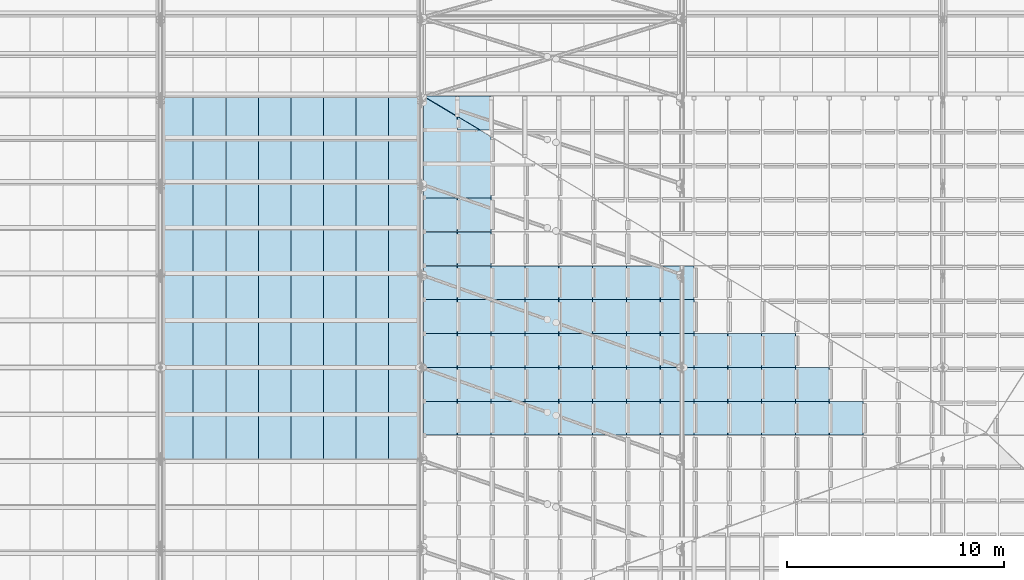
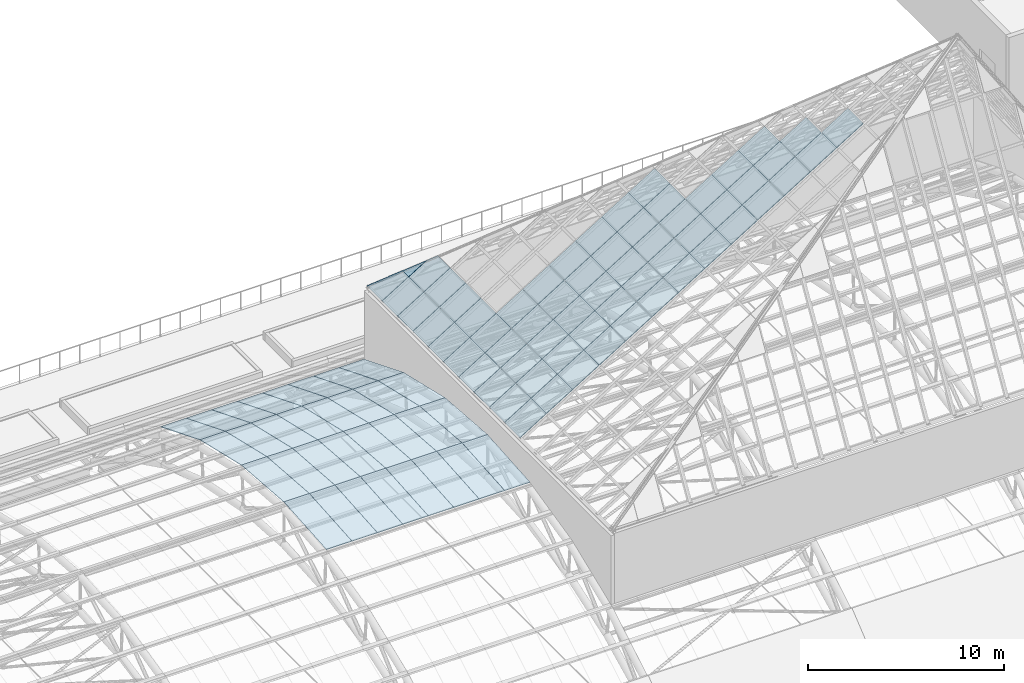
# One storey, part 57 of 110: 96 plates.
"""IFC4 building model written with IfcOpenShell, lengths in metres."""

from ifc_helpers import new_model, si_unit, direction, frame, origin, place, context, subcontext, project, spatial, polyline, outline, extrude, material, layer, layer_set, type_object, element, save


model = new_model("IFC4")

# Units and contexts
model_context = context("Model", 3, precision=1e-05, world=origin(), true_north=direction((0.0, 1.0)))
body_context = subcontext(model_context, "Body", "Model", "MODEL_VIEW")
ifc_project = project(units=[si_unit("LENGTHUNIT", "METRE"), si_unit("AREAUNIT", "SQUARE_METRE"), si_unit("VOLUMEUNIT", "CUBIC_METRE"), si_unit("PLANEANGLEUNIT", "RADIAN"), si_unit("MASSUNIT", "GRAM", prefix="KILO")], contexts=[model_context])

# Site, building, storey
site_placement = place(None, origin())
site = spatial("IfcSite", under=ifc_project, at=site_placement, CompositionType="ELEMENT")
building_placement = place(site_placement, origin())
building = spatial("IfcBuilding", under=site, at=building_placement, Name="Windward Yard Aquatics Centre", CompositionType="ELEMENT")
storey_placement = place(building_placement, frame((0.0, 0.0, 22.60009765625)))
storey = spatial("IfcBuildingStorey", under=building, at=storey_placement, Name="L05", CompositionType="ELEMENT", Elevation=22.60009765625)

# Plates
ifc_material_1 = material(Name="Laminated low-e glass", Category="glass")
ifc_layer_1 = layer(ifc_material_1, 0.035888671875)
ifc_layer_set_1 = layer_set([ifc_layer_1], Name="H lantern glass laminated low-e 36")
plate_type_1 = type_object("IfcPlateType", Name="H lantern glass laminated low-e 36", PredefinedType="SHEET", material=ifc_layer_set_1)
plate_1_placement = place(storey_placement, frame((96.114501953125, 73.485595703125, 10.8984375), z_axis=(0.0, 0.718369958288, 0.695661270324), x_axis=(1.0, 0.0, 0.0)))
element("IfcPlate", 1, at=plate_1_placement, inside=storey, type_object=plate_type_1, Name="H.LN.G.03.001", PredefinedType="SHEET", context=body_context, shape_type="SweptSolid", body=[
    extrude(outline(polyline([(0.0, 0.0), (1.538086, 0.0), (1.538086, -1.32237), (0.0, 0.0)])), origin(), (0.0, 0.0, -1.0), 0.035888671875),
])
plate_2_placement = place(storey_placement, frame((97.660400390625, 72.560791015625, 11.853515625), z_axis=(-2.8013885e-05, 0.718430796098, 0.695598440506), x_axis=(1.208e-09, 0.695598440779, -0.718430796379)))
element("IfcPlate", 2, at=plate_2_placement, inside=storey, type_object=plate_type_1, Name="H.LN.G.03.002", PredefinedType="SHEET", context=body_context, shape_type="SweptSolid", body=[
    extrude(outline(polyline([(0.0, 0.0), (1.32945, 0.0), (1.32945, -1.548584), (-0.90351, -1.548584), (-0.90351, -1.05127), (0.0, 0.0)])), origin(), (0.0, 0.0, -1.0), 0.035888671875),
])
for number, where, z_axis, x_axis, name in (
    (3, (96.10400390625, 57.881591796875, 10.896728515625), (-0.525518580898, 0.0, 0.850782123185), (0.0, 1.0, 0.0), "H.LN.G.04.060"),
    (4, (97.660400390625, 57.881591796875, 11.8583984375), (-0.525518580898, 0.0, 0.850782123185), (0.0, 1.0, 0.0), "H.LN.G.04.061"),
    (5, (99.217041015625, 57.881591796875, 12.81982421875), (-0.525518580898, 0.0, 0.850782123185), (0.0, 1.0, 0.0), "H.LN.G.04.062"),
):
    element("IfcPlate", number, at=place(storey_placement, frame(where, z_axis=z_axis, x_axis=x_axis)), inside=storey, type_object=plate_type_1, Name=name, PredefinedType="SHEET", context=body_context, shape_type="SweptSolid", body=[
        extrude(outline(polyline([(0.0, 0.0), (1.553223, 0.0), (1.553223, -1.820189), (0.0, -1.820189), (0.0, 0.0)])), origin(), (0.0, 0.0, -1.0), 0.035888671875),
    ])
plate_3_placement = place(storey_placement, frame((100.773681640625, 57.881591796875, 13.781494140625), z_axis=(-0.525578555888, 0.0, 0.850745074385), x_axis=(0.0, 1.0, 0.0)))
element("IfcPlate", 6, at=plate_3_placement, inside=storey, type_object=plate_type_1, Name="H.LN.G.04.063", PredefinedType="SHEET", context=body_context, shape_type="SweptSolid", body=[
    extrude(outline(polyline([(0.0, 0.0), (1.553223, 0.0), (1.553223, -1.819981), (0.0, -1.819981), (0.0, 0.0)])), origin(), (0.0, 0.0, -1.0), 0.035888671875),
])
plate_4_placement = place(storey_placement, frame((102.330078125, 57.881591796875, 14.742919921875), z_axis=(-0.525615657471, 0.0, 0.850722152422), x_axis=(0.0, 1.0, 0.0)))
element("IfcPlate", 7, at=plate_4_placement, inside=storey, type_object=plate_type_1, Name="H.LN.G.04.064", PredefinedType="SHEET", context=body_context, shape_type="SweptSolid", body=[
    extrude(outline(polyline([(0.0, 0.0), (1.553223, 0.0), (1.553223, -1.820317), (0.0, -1.820317), (0.0, 0.0)])), origin(), (0.0, 0.0, -1.0), 0.035888671875),
])
plate_5_placement = place(storey_placement, frame((103.88671875, 57.881591796875, 15.70458984375), z_axis=(-0.525578555888, 0.0, 0.850745074385), x_axis=(0.0, 1.0, 0.0)))
element("IfcPlate", 8, at=plate_5_placement, inside=storey, type_object=plate_type_1, Name="H.LN.G.04.065", PredefinedType="SHEET", context=body_context, shape_type="SweptSolid", body=[
    extrude(outline(polyline([(0.0, 0.0), (1.553223, 0.0), (1.553223, -1.819981), (0.0, -1.819981), (0.0, 0.0)])), origin(), (0.0, 0.0, -1.0), 0.035888671875),
])
plate_6_placement = place(storey_placement, frame((105.443115234375, 57.881591796875, 16.666015625), z_axis=(-0.525615657471, 0.0, 0.850722152422), x_axis=(0.0, 1.0, 0.0)))
element("IfcPlate", 9, at=plate_6_placement, inside=storey, type_object=plate_type_1, Name="H.LN.G.04.066", PredefinedType="SHEET", context=body_context, shape_type="SweptSolid", body=[
    extrude(outline(polyline([(0.0, 0.0), (1.553223, 0.0), (1.553223, -1.820317), (0.0, -1.820317), (0.0, 0.0)])), origin(), (0.0, 0.0, -1.0), 0.035888671875),
])
plate_7_placement = place(storey_placement, frame((106.999755859375, 57.881591796875, 17.627685546875), z_axis=(-0.525578555888, 0.0, 0.850745074385), x_axis=(0.0, 1.0, 0.0)))
element("IfcPlate", 10, at=plate_7_placement, inside=storey, type_object=plate_type_1, Name="H.LN.G.04.067", PredefinedType="SHEET", context=body_context, shape_type="SweptSolid", body=[
    extrude(outline(polyline([(0.0, 0.0), (1.553223, 0.0), (1.553223, -1.819981), (0.0, -1.819981), (0.0, 0.0)])), origin(), (0.0, 0.0, -1.0), 0.035888671875),
])
plate_8_placement = place(storey_placement, frame((108.55615234375, 57.881591796875, 18.589111328125), z_axis=(-0.525615657471, 0.0, 0.850722152422), x_axis=(0.0, 1.0, 0.0)))
element("IfcPlate", 11, at=plate_8_placement, inside=storey, type_object=plate_type_1, Name="H.LN.G.04.068", PredefinedType="SHEET", context=body_context, shape_type="SweptSolid", body=[
    extrude(outline(polyline([(0.0, 0.0), (1.553223, 0.0), (1.553223, -1.820317), (0.0, -1.820317), (0.0, 0.0)])), origin(), (0.0, 0.0, -1.0), 0.035888671875),
])
plate_9_placement = place(storey_placement, frame((110.11279296875, 57.881591796875, 19.55078125), z_axis=(-0.525578555888, 0.0, 0.850745074385), x_axis=(0.0, 1.0, 0.0)))
element("IfcPlate", 12, at=plate_9_placement, inside=storey, type_object=plate_type_1, Name="H.LN.G.04.069", PredefinedType="SHEET", context=body_context, shape_type="SweptSolid", body=[
    extrude(outline(polyline([(0.0, 0.0), (1.553223, 0.0), (1.553223, -1.819981), (0.0, -1.819981), (0.0, 0.0)])), origin(), (0.0, 0.0, -1.0), 0.035888671875),
])
plate_10_placement = place(storey_placement, frame((111.669189453125, 57.881591796875, 20.51220703125), z_axis=(-0.525615657471, 0.0, 0.850722152422), x_axis=(0.0, 1.0, 0.0)))
element("IfcPlate", 13, at=plate_10_placement, inside=storey, type_object=plate_type_1, Name="H.LN.G.04.070", PredefinedType="SHEET", context=body_context, shape_type="SweptSolid", body=[
    extrude(outline(polyline([(0.0, 0.0), (1.553223, 0.0), (1.553223, -1.820317), (0.0, -1.820317), (0.0, 0.0)])), origin(), (0.0, 0.0, -1.0), 0.035888671875),
])
plate_11_placement = place(storey_placement, frame((113.2255859375, 57.881591796875, 21.473876953125), z_axis=(-0.525458616984, 0.0, 0.850819159303), x_axis=(0.0, 1.0, 0.0)))
element("IfcPlate", 14, at=plate_11_placement, inside=storey, type_object=plate_type_1, Name="H.LN.G.04.071", PredefinedType="SHEET", context=body_context, shape_type="SweptSolid", body=[
    extrude(outline(polyline([(0.0, 0.0), (1.553223, 0.0), (1.553223, -1.820396), (0.0, -1.820396), (0.0, 0.0)])), origin(), (0.0, 0.0, -1.0), 0.035888671875),
])
plate_12_placement = place(storey_placement, frame((114.7822265625, 57.881591796875, 22.435302734375), z_axis=(-0.525615657471, 0.0, 0.850722152422), x_axis=(0.0, 1.0, 0.0)))
element("IfcPlate", 15, at=plate_12_placement, inside=storey, type_object=plate_type_1, Name="H.LN.G.04.072", PredefinedType="SHEET", context=body_context, shape_type="SweptSolid", body=[
    extrude(outline(polyline([(0.0, 0.0), (1.553223, 0.0), (1.553223, -1.820317), (0.0, -1.820317), (0.0, 0.0)])), origin(), (0.0, 0.0, -1.0), 0.035888671875),
])
for number, where, z_axis, x_axis, name in (
    (16, (96.10400390625, 59.44287109375, 10.896728515625), (-0.525518580898, 0.0, 0.850782123185), (0.0, 1.0, 0.0), "H.LN.G.04.077"),
    (17, (97.660400390625, 59.44287109375, 11.8583984375), (-0.525518580898, 0.0, 0.850782123185), (0.0, 1.0, 0.0), "H.LN.G.04.078"),
    (18, (99.217041015625, 59.44287109375, 12.81982421875), (-0.525518580898, 0.0, 0.850782123185), (0.0, 1.0, 0.0), "H.LN.G.04.079"),
):
    element("IfcPlate", number, at=place(storey_placement, frame(where, z_axis=z_axis, x_axis=x_axis)), inside=storey, type_object=plate_type_1, Name=name, PredefinedType="SHEET", context=body_context, shape_type="SweptSolid", body=[
        extrude(outline(polyline([(0.0, 0.0), (1.553223, 0.0), (1.553223, -1.820189), (0.0, -1.820189), (0.0, 0.0)])), origin(), (0.0, 0.0, -1.0), 0.035888671875),
    ])
plate_13_placement = place(storey_placement, frame((100.773681640625, 59.44287109375, 13.781494140625), z_axis=(-0.525578555888, 0.0, 0.850745074385), x_axis=(0.0, 1.0, 0.0)))
element("IfcPlate", 19, at=plate_13_placement, inside=storey, type_object=plate_type_1, Name="H.LN.G.04.080", PredefinedType="SHEET", context=body_context, shape_type="SweptSolid", body=[
    extrude(outline(polyline([(0.0, 0.0), (1.553223, 0.0), (1.553223, -1.819981), (0.0, -1.819981), (0.0, 0.0)])), origin(), (0.0, 0.0, -1.0), 0.035888671875),
])
plate_14_placement = place(storey_placement, frame((102.330078125, 59.44287109375, 14.742919921875), z_axis=(-0.525615657471, 0.0, 0.850722152422), x_axis=(0.0, 1.0, 0.0)))
element("IfcPlate", 20, at=plate_14_placement, inside=storey, type_object=plate_type_1, Name="H.LN.G.04.081", PredefinedType="SHEET", context=body_context, shape_type="SweptSolid", body=[
    extrude(outline(polyline([(0.0, 0.0), (1.553223, 0.0), (1.553223, -1.820317), (0.0, -1.820317), (0.0, 0.0)])), origin(), (0.0, 0.0, -1.0), 0.035888671875),
])
plate_15_placement = place(storey_placement, frame((103.88671875, 59.44287109375, 15.70458984375), z_axis=(-0.525578555888, 0.0, 0.850745074385), x_axis=(0.0, 1.0, 0.0)))
element("IfcPlate", 21, at=plate_15_placement, inside=storey, type_object=plate_type_1, Name="H.LN.G.04.082", PredefinedType="SHEET", context=body_context, shape_type="SweptSolid", body=[
    extrude(outline(polyline([(0.0, 0.0), (1.553223, 0.0), (1.553223, -1.819981), (0.0, -1.819981), (0.0, 0.0)])), origin(), (0.0, 0.0, -1.0), 0.035888671875),
])
plate_16_placement = place(storey_placement, frame((105.443115234375, 59.44287109375, 16.666015625), z_axis=(-0.525615657471, 0.0, 0.850722152422), x_axis=(0.0, 1.0, 0.0)))
element("IfcPlate", 22, at=plate_16_placement, inside=storey, type_object=plate_type_1, Name="H.LN.G.04.083", PredefinedType="SHEET", context=body_context, shape_type="SweptSolid", body=[
    extrude(outline(polyline([(0.0, 0.0), (1.553223, 0.0), (1.553223, -1.820317), (0.0, -1.820317), (0.0, 0.0)])), origin(), (0.0, 0.0, -1.0), 0.035888671875),
])
plate_17_placement = place(storey_placement, frame((106.999755859375, 59.44287109375, 17.627685546875), z_axis=(-0.525578555888, 0.0, 0.850745074385), x_axis=(0.0, 1.0, 0.0)))
element("IfcPlate", 23, at=plate_17_placement, inside=storey, type_object=plate_type_1, Name="H.LN.G.04.084", PredefinedType="SHEET", context=body_context, shape_type="SweptSolid", body=[
    extrude(outline(polyline([(0.0, 0.0), (1.553223, 0.0), (1.553223, -1.819981), (0.0, -1.819981), (0.0, 0.0)])), origin(), (0.0, 0.0, -1.0), 0.035888671875),
])
plate_18_placement = place(storey_placement, frame((108.55615234375, 59.44287109375, 18.589111328125), z_axis=(-0.525615657471, 0.0, 0.850722152422), x_axis=(0.0, 1.0, 0.0)))
element("IfcPlate", 24, at=plate_18_placement, inside=storey, type_object=plate_type_1, Name="H.LN.G.04.085", PredefinedType="SHEET", context=body_context, shape_type="SweptSolid", body=[
    extrude(outline(polyline([(0.0, 0.0), (1.553223, 0.0), (1.553223, -1.820317), (0.0, -1.820317), (0.0, 0.0)])), origin(), (0.0, 0.0, -1.0), 0.035888671875),
])
plate_19_placement = place(storey_placement, frame((110.11279296875, 59.44287109375, 19.55078125), z_axis=(-0.525578555888, 0.0, 0.850745074385), x_axis=(0.0, 1.0, 0.0)))
element("IfcPlate", 25, at=plate_19_placement, inside=storey, type_object=plate_type_1, Name="H.LN.G.04.086", PredefinedType="SHEET", context=body_context, shape_type="SweptSolid", body=[
    extrude(outline(polyline([(0.0, 0.0), (1.553223, 0.0), (1.553223, -1.819981), (0.0, -1.819981), (0.0, 0.0)])), origin(), (0.0, 0.0, -1.0), 0.035888671875),
])
plate_20_placement = place(storey_placement, frame((111.669189453125, 59.44287109375, 20.51220703125), z_axis=(-0.525615657471, 0.0, 0.850722152422), x_axis=(0.0, 1.0, 0.0)))
element("IfcPlate", 26, at=plate_20_placement, inside=storey, type_object=plate_type_1, Name="H.LN.G.04.087", PredefinedType="SHEET", context=body_context, shape_type="SweptSolid", body=[
    extrude(outline(polyline([(0.0, 0.0), (1.553223, 0.0), (1.553223, -1.820317), (0.0, -1.820317), (0.0, 0.0)])), origin(), (0.0, 0.0, -1.0), 0.035888671875),
])
plate_21_placement = place(storey_placement, frame((113.2255859375, 59.44287109375, 21.473876953125), z_axis=(-0.525458616984, 0.0, 0.850819159303), x_axis=(0.0, 1.0, 0.0)))
element("IfcPlate", 27, at=plate_21_placement, inside=storey, type_object=plate_type_1, Name="H.LN.G.04.088", PredefinedType="SHEET", context=body_context, shape_type="SweptSolid", body=[
    extrude(outline(polyline([(0.0, 0.0), (1.553223, 0.0), (1.553223, -1.820396), (0.0, -1.820396), (0.0, 0.0)])), origin(), (0.0, 0.0, -1.0), 0.035888671875),
])
for number, where, z_axis, x_axis, name in (
    (28, (96.10400390625, 61.00390625, 10.896728515625), (-0.525518580898, 0.0, 0.850782123185), (0.0, 1.0, 0.0), "H.LN.G.04.092"),
    (29, (97.660400390625, 61.00390625, 11.8583984375), (-0.525518580898, 0.0, 0.850782123185), (0.0, 1.0, 0.0), "H.LN.G.04.093"),
    (30, (99.217041015625, 61.00390625, 12.81982421875), (-0.525518580898, 0.0, 0.850782123185), (0.0, 1.0, 0.0), "H.LN.G.04.094"),
):
    element("IfcPlate", number, at=place(storey_placement, frame(where, z_axis=z_axis, x_axis=x_axis)), inside=storey, type_object=plate_type_1, Name=name, PredefinedType="SHEET", context=body_context, shape_type="SweptSolid", body=[
        extrude(outline(polyline([(0.0, 0.0), (1.553223, 0.0), (1.553223, -1.820189), (0.0, -1.820189), (0.0, 0.0)])), origin(), (0.0, 0.0, -1.0), 0.035888671875),
    ])
plate_22_placement = place(storey_placement, frame((100.773681640625, 61.00390625, 13.781494140625), z_axis=(-0.525578555888, 0.0, 0.850745074385), x_axis=(0.0, 1.0, 0.0)))
element("IfcPlate", 31, at=plate_22_placement, inside=storey, type_object=plate_type_1, Name="H.LN.G.04.095", PredefinedType="SHEET", context=body_context, shape_type="SweptSolid", body=[
    extrude(outline(polyline([(0.0, 0.0), (1.553223, 0.0), (1.553223, -1.819981), (0.0, -1.819981), (0.0, 0.0)])), origin(), (0.0, 0.0, -1.0), 0.035888671875),
])
plate_23_placement = place(storey_placement, frame((102.330078125, 61.00390625, 14.742919921875), z_axis=(-0.525615657471, 0.0, 0.850722152422), x_axis=(0.0, 1.0, 0.0)))
element("IfcPlate", 32, at=plate_23_placement, inside=storey, type_object=plate_type_1, Name="H.LN.G.04.096", PredefinedType="SHEET", context=body_context, shape_type="SweptSolid", body=[
    extrude(outline(polyline([(0.0, 0.0), (1.553223, 0.0), (1.553223, -1.820317), (0.0, -1.820317), (0.0, 0.0)])), origin(), (0.0, 0.0, -1.0), 0.035888671875),
])
plate_24_placement = place(storey_placement, frame((103.88671875, 61.00390625, 15.70458984375), z_axis=(-0.525578555888, 0.0, 0.850745074385), x_axis=(0.0, 1.0, 0.0)))
element("IfcPlate", 33, at=plate_24_placement, inside=storey, type_object=plate_type_1, Name="H.LN.G.04.097", PredefinedType="SHEET", context=body_context, shape_type="SweptSolid", body=[
    extrude(outline(polyline([(0.0, 0.0), (1.553223, 0.0), (1.553223, -1.819981), (0.0, -1.819981), (0.0, 0.0)])), origin(), (0.0, 0.0, -1.0), 0.035888671875),
])
plate_25_placement = place(storey_placement, frame((105.443115234375, 61.00390625, 16.666015625), z_axis=(-0.525615657471, 0.0, 0.850722152422), x_axis=(0.0, 1.0, 0.0)))
element("IfcPlate", 34, at=plate_25_placement, inside=storey, type_object=plate_type_1, Name="H.LN.G.04.098", PredefinedType="SHEET", context=body_context, shape_type="SweptSolid", body=[
    extrude(outline(polyline([(0.0, 0.0), (1.553223, 0.0), (1.553223, -1.820317), (0.0, -1.820317), (0.0, 0.0)])), origin(), (0.0, 0.0, -1.0), 0.035888671875),
])
plate_26_placement = place(storey_placement, frame((106.999755859375, 61.00390625, 17.627685546875), z_axis=(-0.525578555888, 0.0, 0.850745074385), x_axis=(0.0, 1.0, 0.0)))
element("IfcPlate", 35, at=plate_26_placement, inside=storey, type_object=plate_type_1, Name="H.LN.G.04.099", PredefinedType="SHEET", context=body_context, shape_type="SweptSolid", body=[
    extrude(outline(polyline([(0.0, 0.0), (1.553223, 0.0), (1.553223, -1.819981), (0.0, -1.819981), (0.0, 0.0)])), origin(), (0.0, 0.0, -1.0), 0.035888671875),
])
plate_27_placement = place(storey_placement, frame((108.55615234375, 61.00390625, 18.589111328125), z_axis=(-0.525615657471, 0.0, 0.850722152422), x_axis=(0.0, 1.0, 0.0)))
element("IfcPlate", 36, at=plate_27_placement, inside=storey, type_object=plate_type_1, Name="H.LN.G.04.100", PredefinedType="SHEET", context=body_context, shape_type="SweptSolid", body=[
    extrude(outline(polyline([(0.0, 0.0), (1.553223, 0.0), (1.553223, -1.820317), (0.0, -1.820317), (0.0, 0.0)])), origin(), (0.0, 0.0, -1.0), 0.035888671875),
])
plate_28_placement = place(storey_placement, frame((110.11279296875, 61.00390625, 19.55078125), z_axis=(-0.525578555888, 0.0, 0.850745074385), x_axis=(0.0, 1.0, 0.0)))
element("IfcPlate", 37, at=plate_28_placement, inside=storey, type_object=plate_type_1, Name="H.LN.G.04.101", PredefinedType="SHEET", context=body_context, shape_type="SweptSolid", body=[
    extrude(outline(polyline([(0.0, 0.0), (1.553223, 0.0), (1.553223, -1.819981), (0.0, -1.819981), (0.0, 0.0)])), origin(), (0.0, 0.0, -1.0), 0.035888671875),
])
plate_29_placement = place(storey_placement, frame((111.669189453125, 61.00390625, 20.51220703125), z_axis=(-0.525615657471, 0.0, 0.850722152422), x_axis=(0.0, 1.0, 0.0)))
element("IfcPlate", 38, at=plate_29_placement, inside=storey, type_object=plate_type_1, Name="H.LN.G.04.102", PredefinedType="SHEET", context=body_context, shape_type="SweptSolid", body=[
    extrude(outline(polyline([(0.0, 0.0), (1.553223, 0.0), (1.553223, -1.820317), (0.0, -1.820317), (0.0, 0.0)])), origin(), (0.0, 0.0, -1.0), 0.035888671875),
])
for number, where, z_axis, x_axis, name in (
    (39, (96.10400390625, 62.565185546875, 10.896728515625), (-0.525518580898, 0.0, 0.850782123185), (0.0, 1.0, 0.0), "H.LN.G.04.106"),
    (40, (97.660400390625, 62.565185546875, 11.8583984375), (-0.525518580898, 0.0, 0.850782123185), (0.0, 1.0, 0.0), "H.LN.G.04.107"),
    (41, (99.217041015625, 62.565185546875, 12.81982421875), (-0.525518580898, 0.0, 0.850782123185), (0.0, 1.0, 0.0), "H.LN.G.04.108"),
):
    element("IfcPlate", number, at=place(storey_placement, frame(where, z_axis=z_axis, x_axis=x_axis)), inside=storey, type_object=plate_type_1, Name=name, PredefinedType="SHEET", context=body_context, shape_type="SweptSolid", body=[
        extrude(outline(polyline([(0.0, 0.0), (1.553223, 0.0), (1.553223, -1.820189), (0.0, -1.820189), (0.0, 0.0)])), origin(), (0.0, 0.0, -1.0), 0.035888671875),
    ])
plate_30_placement = place(storey_placement, frame((100.773681640625, 62.565185546875, 13.781494140625), z_axis=(-0.525578555888, 0.0, 0.850745074385), x_axis=(0.0, 1.0, 0.0)))
element("IfcPlate", 42, at=plate_30_placement, inside=storey, type_object=plate_type_1, Name="H.LN.G.04.109", PredefinedType="SHEET", context=body_context, shape_type="SweptSolid", body=[
    extrude(outline(polyline([(0.0, 0.0), (1.553223, 0.0), (1.553223, -1.819981), (0.0, -1.819981), (0.0, 0.0)])), origin(), (0.0, 0.0, -1.0), 0.035888671875),
])
plate_31_placement = place(storey_placement, frame((102.330078125, 62.565185546875, 14.742919921875), z_axis=(-0.525615657471, 0.0, 0.850722152422), x_axis=(0.0, 1.0, 0.0)))
element("IfcPlate", 43, at=plate_31_placement, inside=storey, type_object=plate_type_1, Name="H.LN.G.04.110", PredefinedType="SHEET", context=body_context, shape_type="SweptSolid", body=[
    extrude(outline(polyline([(0.0, 0.0), (1.553223, 0.0), (1.553223, -1.820317), (0.0, -1.820317), (0.0, 0.0)])), origin(), (0.0, 0.0, -1.0), 0.035888671875),
])
plate_32_placement = place(storey_placement, frame((103.88671875, 62.565185546875, 15.70458984375), z_axis=(-0.525578555888, 0.0, 0.850745074385), x_axis=(0.0, 1.0, 0.0)))
element("IfcPlate", 44, at=plate_32_placement, inside=storey, type_object=plate_type_1, Name="H.LN.G.04.111", PredefinedType="SHEET", context=body_context, shape_type="SweptSolid", body=[
    extrude(outline(polyline([(0.0, 0.0), (1.553223, 0.0), (1.553223, -1.819981), (0.0, -1.819981), (0.0, 0.0)])), origin(), (0.0, 0.0, -1.0), 0.035888671875),
])
plate_33_placement = place(storey_placement, frame((105.443115234375, 62.565185546875, 16.666015625), z_axis=(-0.525615657471, 0.0, 0.850722152422), x_axis=(0.0, 1.0, 0.0)))
element("IfcPlate", 45, at=plate_33_placement, inside=storey, type_object=plate_type_1, Name="H.LN.G.04.112", PredefinedType="SHEET", context=body_context, shape_type="SweptSolid", body=[
    extrude(outline(polyline([(0.0, 0.0), (1.553223, 0.0), (1.553223, -1.820317), (0.0, -1.820317), (0.0, 0.0)])), origin(), (0.0, 0.0, -1.0), 0.035888671875),
])
plate_34_placement = place(storey_placement, frame((106.999755859375, 62.565185546875, 17.627685546875), z_axis=(-0.525578555888, 0.0, 0.850745074385), x_axis=(0.0, 1.0, 0.0)))
element("IfcPlate", 46, at=plate_34_placement, inside=storey, type_object=plate_type_1, Name="H.LN.G.04.113", PredefinedType="SHEET", context=body_context, shape_type="SweptSolid", body=[
    extrude(outline(polyline([(0.0, 0.0), (1.553223, 0.0), (1.553223, -1.819981), (0.0, -1.819981), (0.0, 0.0)])), origin(), (0.0, 0.0, -1.0), 0.035888671875),
])
for number, where, z_axis, x_axis, name in (
    (47, (96.10400390625, 64.12646484375, 10.896728515625), (-0.525518580898, 0.0, 0.850782123185), (0.0, 1.0, 0.0), "H.LN.G.04.118"),
    (48, (97.660400390625, 64.12646484375, 11.8583984375), (-0.525518580898, 0.0, 0.850782123185), (0.0, 1.0, 0.0), "H.LN.G.04.119"),
    (49, (99.217041015625, 64.12646484375, 12.81982421875), (-0.525518580898, 0.0, 0.850782123185), (0.0, 1.0, 0.0), "H.LN.G.04.120"),
):
    element("IfcPlate", number, at=place(storey_placement, frame(where, z_axis=z_axis, x_axis=x_axis)), inside=storey, type_object=plate_type_1, Name=name, PredefinedType="SHEET", context=body_context, shape_type="SweptSolid", body=[
        extrude(outline(polyline([(0.0, 0.0), (1.552979, 0.0), (1.552979, -1.820189), (0.0, -1.820189), (0.0, 0.0)])), origin(), (0.0, 0.0, -1.0), 0.035888671875),
    ])
plate_35_placement = place(storey_placement, frame((100.773681640625, 64.12646484375, 13.781494140625), z_axis=(-0.525578555888, 0.0, 0.850745074385), x_axis=(0.0, 1.0, 0.0)))
element("IfcPlate", 50, at=plate_35_placement, inside=storey, type_object=plate_type_1, Name="H.LN.G.04.121", PredefinedType="SHEET", context=body_context, shape_type="SweptSolid", body=[
    extrude(outline(polyline([(0.0, 0.0), (1.552979, 0.0), (1.552979, -1.819981), (0.0, -1.819981), (0.0, 0.0)])), origin(), (0.0, 0.0, -1.0), 0.035888671875),
])
plate_36_placement = place(storey_placement, frame((102.330078125, 64.12646484375, 14.742919921875), z_axis=(-0.525615657471, 0.0, 0.850722152422), x_axis=(0.0, 1.0, 0.0)))
element("IfcPlate", 51, at=plate_36_placement, inside=storey, type_object=plate_type_1, Name="H.LN.G.04.122", PredefinedType="SHEET", context=body_context, shape_type="SweptSolid", body=[
    extrude(outline(polyline([(0.0, 0.0), (1.552979, 0.0), (1.552979, -1.820317), (0.0, -1.820317), (0.0, 0.0)])), origin(), (0.0, 0.0, -1.0), 0.035888671875),
])
plate_37_placement = place(storey_placement, frame((103.88671875, 64.12646484375, 15.70458984375), z_axis=(-0.525578555888, 0.0, 0.850745074385), x_axis=(0.0, 1.0, 0.0)))
element("IfcPlate", 52, at=plate_37_placement, inside=storey, type_object=plate_type_1, Name="H.LN.G.04.123", PredefinedType="SHEET", context=body_context, shape_type="SweptSolid", body=[
    extrude(outline(polyline([(0.0, 0.0), (1.552979, 0.0), (1.552979, -1.819981), (0.0, -1.819981), (0.0, 0.0)])), origin(), (0.0, 0.0, -1.0), 0.035888671875),
])
plate_38_placement = place(storey_placement, frame((105.443115234375, 64.12646484375, 16.666015625), z_axis=(-0.525615657471, 0.0, 0.850722152422), x_axis=(0.0, 1.0, 0.0)))
element("IfcPlate", 53, at=plate_38_placement, inside=storey, type_object=plate_type_1, Name="H.LN.G.04.124", PredefinedType="SHEET", context=body_context, shape_type="SweptSolid", body=[
    extrude(outline(polyline([(0.0, 0.0), (1.552979, 0.0), (1.552979, -1.820317), (0.0, -1.820317), (0.0, 0.0)])), origin(), (0.0, 0.0, -1.0), 0.035888671875),
])
plate_39_placement = place(storey_placement, frame((106.999755859375, 64.12646484375, 17.627685546875), z_axis=(-0.525578555888, 0.0, 0.850745074385), x_axis=(0.0, 1.0, 0.0)))
element("IfcPlate", 54, at=plate_39_placement, inside=storey, type_object=plate_type_1, Name="H.LN.G.04.125", PredefinedType="SHEET", context=body_context, shape_type="SweptSolid", body=[
    extrude(outline(polyline([(0.0, 0.0), (1.552979, 0.0), (1.552979, -1.819981), (0.0, -1.819981), (0.0, 0.0)])), origin(), (0.0, 0.0, -1.0), 0.035888671875),
])
for number, where, z_axis, x_axis, name in (
    (55, (96.10400390625, 65.6875, 10.896728515625), (-0.525518580898, 0.0, 0.850782123185), (0.0, 1.0, 0.0), "H.LN.G.04.128"),
    (56, (97.660400390625, 65.6875, 11.8583984375), (-0.525518580898, 0.0, 0.850782123185), (0.0, 1.0, 0.0), "H.LN.G.04.129"),
    (57, (96.10400390625, 67.248779296875, 10.896728515625), (-0.525518580898, 0.0, 0.850782123185), (0.0, 1.0, 0.0), "H.LN.G.04.137"),
    (58, (97.660400390625, 67.248779296875, 11.8583984375), (-0.525518580898, 0.0, 0.850782123185), (0.0, 1.0, 0.0), "H.LN.G.04.138"),
    (59, (96.10400390625, 68.809814453125, 10.896728515625), (-0.525518580898, 0.0, 0.850782123185), (0.0, 1.0, 0.0), "H.LN.G.04.144"),
    (60, (97.660400390625, 68.809814453125, 11.8583984375), (-0.525518580898, 0.0, 0.850782123185), (0.0, 1.0, 0.0), "H.LN.G.04.145"),
    (61, (96.10400390625, 70.37109375, 10.896728515625), (-0.525518580898, 0.0, 0.850782123185), (0.0, 1.0, 0.0), "H.LN.G.04.149"),
):
    element("IfcPlate", number, at=place(storey_placement, frame(where, z_axis=z_axis, x_axis=x_axis)), inside=storey, type_object=plate_type_1, Name=name, PredefinedType="SHEET", context=body_context, shape_type="SweptSolid", body=[
        extrude(outline(polyline([(0.0, 0.0), (1.553223, 0.0), (1.553223, -1.820189), (0.0, -1.820189), (0.0, 0.0)])), origin(), (0.0, 0.0, -1.0), 0.035888671875),
    ])
plate_40_placement = place(storey_placement, frame((97.660400390625, 70.37109375, 11.8583984375), z_axis=(-0.525506928595, 8.3410047e-05, 0.850789316483), x_axis=(4.3832558e-05, 0.999999996521, -7.0964378e-05)))
element("IfcPlate", 62, at=plate_40_placement, inside=storey, type_object=plate_type_1, Name="H.LN.G.04.150", PredefinedType="SHEET", context=body_context, shape_type="SweptSolid", body=[
    extrude(outline(polyline([(0.0, 0.0), (1.553223, 0.0), (1.553223, -1.232913), (1.254395, -1.820189), (0.0, -1.820189), (0.0, 0.0)])), origin(), (0.0, 0.0, -1.0), 0.035888671875),
])
plate_41_placement = place(storey_placement, frame((96.10400390625, 71.932373046875, 10.896728515625), z_axis=(-0.525518580898, 0.0, 0.850782123185), x_axis=(0.0, 1.0, 0.0)))
element("IfcPlate", 63, at=plate_41_placement, inside=storey, type_object=plate_type_1, Name="H.LN.G.04.153", PredefinedType="SHEET", context=body_context, shape_type="SweptSolid", body=[
    extrude(outline(polyline([(0.0, 0.0), (1.550049, 0.0), (0.624023, -1.820189), (0.0, -1.820189), (0.0, 0.0)])), origin(), (0.0, 0.0, -1.0), 0.035888671875),
])
plate_42_placement = place(storey_placement, frame((97.660400390625, 71.932373046875, 11.8583984375), z_axis=(-0.525339134309, 0.0, 0.85089293919), x_axis=(0.0, 1.0, 0.0)))
element("IfcPlate", 64, at=plate_42_placement, inside=storey, type_object=plate_type_1, Name="H.LN.G.04.154", PredefinedType="SHEET", context=body_context, shape_type="SweptSolid", body=[
    extrude(outline(polyline([(0.0, 0.0), (0.619141, 0.0), (0.0, -1.217127), (0.0, 0.0)])), origin(), (0.0, 0.0, -1.0), 0.035888671875),
])
ifc_material_2 = material(Name="Translucent multiwall polycarbonate sheet")
ifc_layer_2 = layer(ifc_material_2, 0.031982421875)
ifc_layer_set_2 = layer_set([ifc_layer_2], Name="H translucent roof sheet multiwall polycarbonate 32")
plate_type_2 = type_object("IfcPlateType", Name="H translucent roof sheet multiwall polycarbonate 32", PredefinedType="SHEET", material=ifc_layer_set_2)
for number, where, z_axis, x_axis, name in (
    (65, (84.001953125, 26.0, 0.0), (1.0, 0.0, 0.0), (0.0, 1.0, 0.0), "Daylight roof sheet bay 3 facet 5 sheet 1"),
    (66, (85.501953125, 26.0, 0.0), (1.0, 0.0, 0.0), (0.0, 1.0, 0.0), "Daylight roof sheet bay 3 facet 5 sheet 2"),
    (67, (87.001953125, 26.0, 0.0), (1.0, 0.0, 0.0), (0.0, 1.0, 0.0), "Daylight roof sheet bay 3 facet 5 sheet 3"),
    (68, (88.501953125, 26.0, 0.0), (1.0, 0.0, 0.0), (0.0, 1.0, 0.0), "Daylight roof sheet bay 3 facet 5 sheet 4"),
    (69, (90.001953125, 26.0, 0.0), (1.0, 0.0, 0.0), (0.0, 1.0, 0.0), "Daylight roof sheet bay 3 facet 5 sheet 5"),
    (70, (91.501953125, 26.0, 0.0), (1.0, 0.0, 0.0), (0.0, 1.0, 0.0), "Daylight roof sheet bay 3 facet 5 sheet 6"),
    (71, (93.001953125, 26.0, 0.0), (1.0, 0.0, 0.0), (0.0, 1.0, 0.0), "Daylight roof sheet bay 3 facet 5 sheet 7"),
    (72, (94.501953125, 26.0, 0.0), (1.0, 0.0, 0.0), (0.0, 1.0, 0.0), "Daylight roof sheet bay 3 facet 5 sheet 8"),
):
    element("IfcPlate", number, at=place(storey_placement, frame(where, z_axis=z_axis, x_axis=x_axis)), inside=storey, type_object=plate_type_2, Name=name, PredefinedType="SHEET", context=body_context, shape_type="SweptSolid", body=[
        extrude(outline(polyline([(30.669677734375, 8.871337890625), (35.0, 9.202880859375), (35.0, 9.235107421875), (30.664794921875, 8.903076171875), (30.669677734375, 8.871337890625)])), origin(), (0.0, 0.0, 1.0), 1.49609375),
    ])
for number, where, z_axis, x_axis, name in (
    (73, (84.001953125, 26.0, 0.0), (1.0, 0.0, 0.0), (0.0, 1.0, 0.0), "Daylight roof sheet bay 3 facet 6 sheet 1"),
    (74, (85.501953125, 26.0, 0.0), (1.0, 0.0, 0.0), (0.0, 1.0, 0.0), "Daylight roof sheet bay 3 facet 6 sheet 2"),
    (75, (87.001953125, 26.0, 0.0), (1.0, 0.0, 0.0), (0.0, 1.0, 0.0), "Daylight roof sheet bay 3 facet 6 sheet 3"),
    (76, (88.501953125, 26.0, 0.0), (1.0, 0.0, 0.0), (0.0, 1.0, 0.0), "Daylight roof sheet bay 3 facet 6 sheet 4"),
    (77, (90.001953125, 26.0, 0.0), (1.0, 0.0, 0.0), (0.0, 1.0, 0.0), "Daylight roof sheet bay 3 facet 6 sheet 5"),
    (78, (91.501953125, 26.0, 0.0), (1.0, 0.0, 0.0), (0.0, 1.0, 0.0), "Daylight roof sheet bay 3 facet 6 sheet 6"),
    (79, (93.001953125, 26.0, 0.0), (1.0, 0.0, 0.0), (0.0, 1.0, 0.0), "Daylight roof sheet bay 3 facet 6 sheet 7"),
    (80, (94.501953125, 26.0, 0.0), (1.0, 0.0, 0.0), (0.0, 1.0, 0.0), "Daylight roof sheet bay 3 facet 6 sheet 8"),
):
    element("IfcPlate", number, at=place(storey_placement, frame(where, z_axis=z_axis, x_axis=x_axis)), inside=storey, type_object=plate_type_2, Name=name, PredefinedType="SHEET", context=body_context, shape_type="SweptSolid", body=[
        extrude(outline(polyline([(35.0, 9.202880859375), (39.330322265625, 8.871337890625), (39.335205078125, 8.903076171875), (35.0, 9.235107421875), (35.0, 9.202880859375)])), origin(), (0.0, 0.0, 1.0), 1.49609375),
    ])
for number, where, z_axis, x_axis, name in (
    (81, (84.001953125, 26.0, 0.0), (1.0, 0.0, 0.0), (0.0, 1.0, 0.0), "Daylight roof sheet bay 3 facet 7 sheet 1"),
    (82, (85.501953125, 26.0, 0.0), (1.0, 0.0, 0.0), (0.0, 1.0, 0.0), "Daylight roof sheet bay 3 facet 7 sheet 2"),
    (83, (87.001953125, 26.0, 0.0), (1.0, 0.0, 0.0), (0.0, 1.0, 0.0), "Daylight roof sheet bay 3 facet 7 sheet 3"),
    (84, (88.501953125, 26.0, 0.0), (1.0, 0.0, 0.0), (0.0, 1.0, 0.0), "Daylight roof sheet bay 3 facet 7 sheet 4"),
    (85, (90.001953125, 26.0, 0.0), (1.0, 0.0, 0.0), (0.0, 1.0, 0.0), "Daylight roof sheet bay 3 facet 7 sheet 5"),
    (86, (91.501953125, 26.0, 0.0), (1.0, 0.0, 0.0), (0.0, 1.0, 0.0), "Daylight roof sheet bay 3 facet 7 sheet 6"),
    (87, (93.001953125, 26.0, 0.0), (1.0, 0.0, 0.0), (0.0, 1.0, 0.0), "Daylight roof sheet bay 3 facet 7 sheet 7"),
    (88, (94.501953125, 26.0, 0.0), (1.0, 0.0, 0.0), (0.0, 1.0, 0.0), "Daylight roof sheet bay 3 facet 7 sheet 8"),
):
    element("IfcPlate", number, at=place(storey_placement, frame(where, z_axis=z_axis, x_axis=x_axis)), inside=storey, type_object=plate_type_2, Name=name, PredefinedType="SHEET", context=body_context, shape_type="SweptSolid", body=[
        extrude(outline(polyline([(39.330322265625, 8.871337890625), (43.559814453125, 7.88427734375), (43.5693359375, 7.914794921875), (39.335205078125, 8.903076171875), (39.330322265625, 8.871337890625)])), origin(), (0.0, 0.0, 1.0), 1.49609375),
    ])
for number, where, z_axis, x_axis, name in (
    (89, (84.001953125, 26.0, 0.0), (1.0, 0.0, 0.0), (0.0, 1.0, 0.0), "Daylight roof sheet bay 3 facet 8 sheet 1"),
    (90, (85.501953125, 26.0, 0.0), (1.0, 0.0, 0.0), (0.0, 1.0, 0.0), "Daylight roof sheet bay 3 facet 8 sheet 2"),
    (91, (87.001953125, 26.0, 0.0), (1.0, 0.0, 0.0), (0.0, 1.0, 0.0), "Daylight roof sheet bay 3 facet 8 sheet 3"),
    (92, (88.501953125, 26.0, 0.0), (1.0, 0.0, 0.0), (0.0, 1.0, 0.0), "Daylight roof sheet bay 3 facet 8 sheet 4"),
    (93, (90.001953125, 26.0, 0.0), (1.0, 0.0, 0.0), (0.0, 1.0, 0.0), "Daylight roof sheet bay 3 facet 8 sheet 5"),
    (94, (91.501953125, 26.0, 0.0), (1.0, 0.0, 0.0), (0.0, 1.0, 0.0), "Daylight roof sheet bay 3 facet 8 sheet 6"),
    (95, (93.001953125, 26.0, 0.0), (1.0, 0.0, 0.0), (0.0, 1.0, 0.0), "Daylight roof sheet bay 3 facet 8 sheet 7"),
    (96, (94.501953125, 26.0, 0.0), (1.0, 0.0, 0.0), (0.0, 1.0, 0.0), "Daylight roof sheet bay 3 facet 8 sheet 8"),
):
    element("IfcPlate", number, at=place(storey_placement, frame(where, z_axis=z_axis, x_axis=x_axis)), inside=storey, type_object=plate_type_2, Name=name, PredefinedType="SHEET", context=body_context, shape_type="SweptSolid", body=[
        extrude(outline(polyline([(43.559814453125, 7.88427734375), (47.58935546875, 6.2646484375), (47.603759765625, 6.29345703125), (43.5693359375, 7.914794921875), (43.559814453125, 7.88427734375)])), origin(), (0.0, 0.0, 1.0), 1.49609375),
    ])

save(model, "model.ifc")
